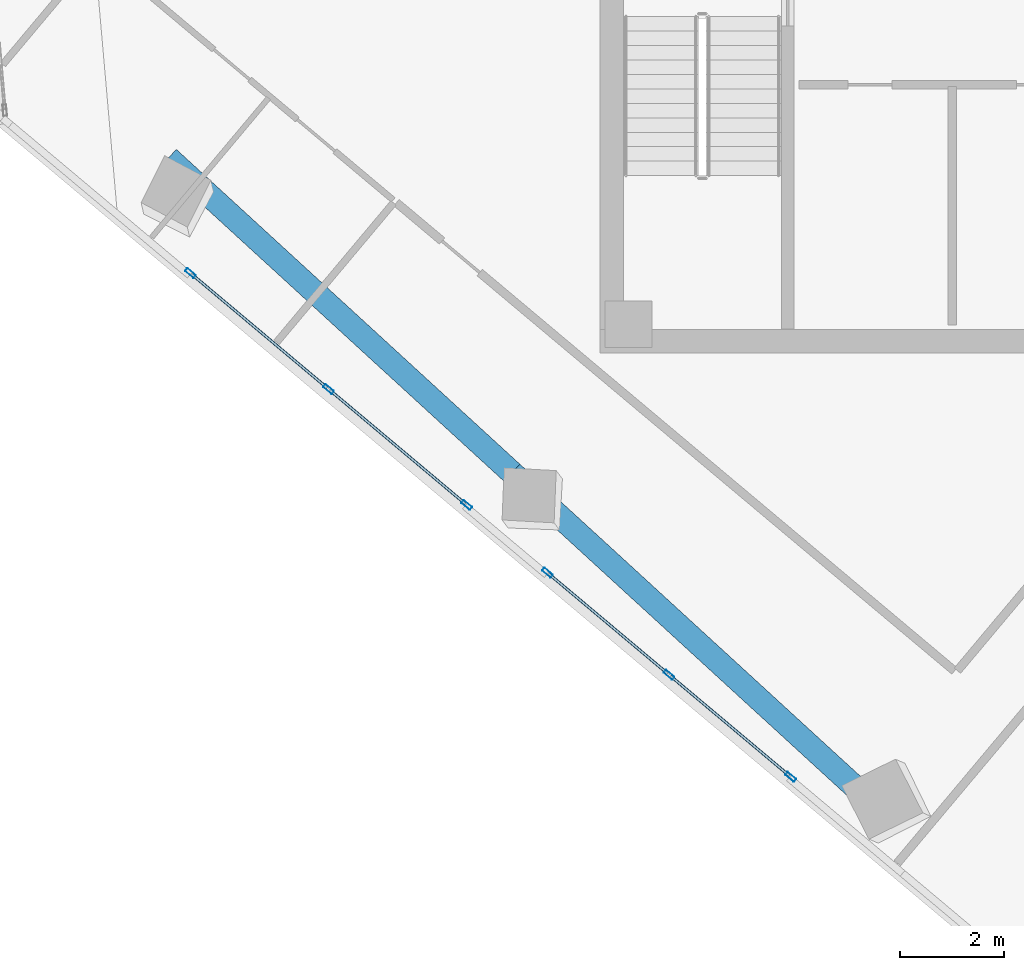
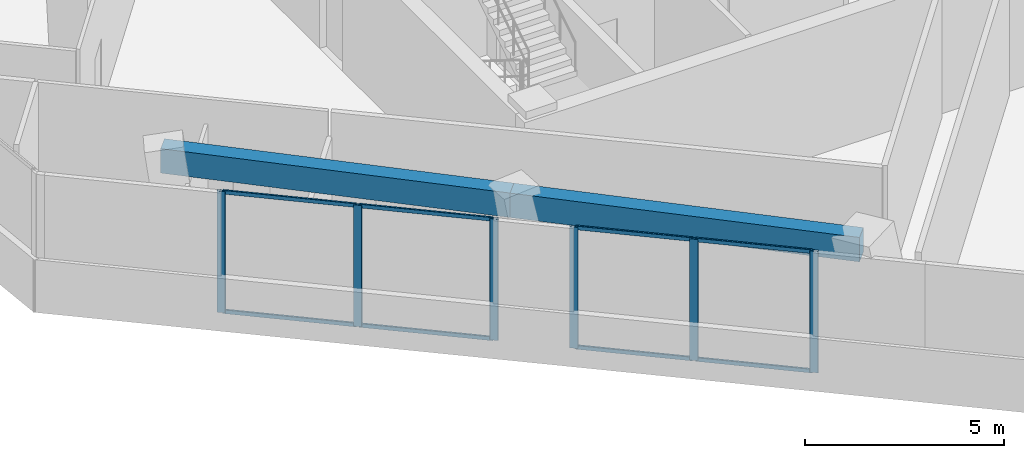
# One storey, part 2 of 18: 14 members, 2 beams, 2 elements without a shape of their own.
"""IFC4 building model written with IfcOpenShell, lengths in metres."""

from ifc_helpers import new_model, si_unit, direction, frame, origin, origin_2d, place, context, subcontext, project, spatial, rectangle, hollow_rectangle, extrude, source, transform, mapped, material, material_profile, profile_set, type_object, element, aggregate, save


model = new_model("IFC4")

# Units and contexts
model_context = context("Model", 3, precision=1e-05, world=origin(), true_north=direction((0.0, 1.0)))
body_context = subcontext(model_context, "Body", "Model", "MODEL_VIEW")
ifc_project = project(units=[si_unit("LENGTHUNIT", "METRE"), si_unit("AREAUNIT", "SQUARE_METRE"), si_unit("VOLUMEUNIT", "CUBIC_METRE"), si_unit("PLANEANGLEUNIT", "RADIAN"), si_unit("MASSUNIT", "GRAM", prefix="KILO")], contexts=[model_context])

# Site, building, storey
site_placement = place(None, origin())
site = spatial("IfcSite", under=ifc_project, at=site_placement, CompositionType="ELEMENT")
building_placement = place(site_placement, origin())
building = spatial("IfcBuilding", under=site, at=building_placement, Name="Torre Montelarca", CompositionType="ELEMENT")
storey_placement = place(building_placement, frame((0.0, 0.0, 224.800048828125)))
storey = spatial("IfcBuildingStorey", under=building, at=storey_placement, Name="L50", CompositionType="ELEMENT", Elevation=224.800048828125)

# Beams
ifc_material_1 = material(Name="Concrete C55/67", Category="concrete")
ifc_material_profile_1 = material_profile(ifc_material_1, rectangle(XDim=0.449951171875, YDim=0.75, at=origin_2d()), Name="RCB450X750", Category="concrete")
ifc_profile_set_1 = profile_set([ifc_material_profile_1], Name="Concrete C55/67")
beam_type = type_object("IfcBeamType", Name="BM-SP-RC750-EXT", PredefinedType="SPANDREL", material=ifc_profile_set_1)
shared_shape_1 = source(origin(), body_context, "Body", "SweptSolid", [
    extrude(rectangle(XDim=0.449951171875, YDim=0.75, at=origin_2d()), origin(), (0.0, 0.0, 1.0), 9.0),
])
for number, where, z_axis, x_axis, name in (
    (1, (0.663818359375, 27.763671875, 3.5849609375), (0.73727686361, -0.675590724023, 0.0), (0.675590724023, 0.73727686361, 0.0), "L50 Grid Girder X 9.0-18.0 at Y=14.8"),
    (2, (7.29931640625, 21.683349609375, 3.5849609375), (0.73727686361, -0.675590724023, 0.0), (0.675590724023, 0.73727686361, 0.0), "L50 Grid Girder X 18.0-27.0 at Y=14.8"),
):
    element("IfcBeam", number, at=place(storey_placement, frame(where, z_axis=z_axis, x_axis=x_axis)), inside=storey, type_object=beam_type, Name=name, PredefinedType="SPANDREL", context=body_context, shape_type="MappedRepresentation", body=[
        mapped(shared_shape_1, transform((0.0, 0.0, 0.0), scale=1.0)),
    ])

# Curtain wall, members
ifc_material_2 = material(Name="Insulated low-E laminated glass", Category="glass")
curtain_wall_type = type_object("IfcCurtainWallType", Name="CW-SYS-Z3", PredefinedType="USERDEFINED", material=ifc_material_2)
curtain_wall_1_placement = place(storey_placement, origin())
curtain_wall_1 = element("IfcCurtainWall", 3, at=curtain_wall_1_placement, inside=storey, type_object=curtain_wall_type, Name="L50 Curtain Wall Run CW-T3-L50-E01-B1", ObjectType="UNITISED GLAZING", PredefinedType="USERDEFINED")
ifc_material_3 = material(Name="Anodised aluminium AA 6063-T6", Category="aluminium")
ifc_material_profile_2 = material_profile(ifc_material_3, hollow_rectangle(XDim=0.054931640625, YDim=0.1201171875, WallThickness=0.00341796875, InnerFilletRadius=0.00341796875, OuterFilletRadius=0.007080078125, at=origin_2d()), Name="ALU55X120X3.5", Category="aluminium")
ifc_profile_set_2 = profile_set([ifc_material_profile_2], Name="Anodised aluminium AA 6063-T6")
member_type_1 = type_object("IfcMemberType", Name="CWT-ALU120", PredefinedType="USERDEFINED", material=ifc_profile_set_2)
shared_shape_2 = source(origin(), body_context, "Body", "SweptSolid", [
    extrude(hollow_rectangle(XDim=0.054931640625, YDim=0.1201171875, WallThickness=0.00341796875, InnerFilletRadius=0.00341796875, OuterFilletRadius=0.007080078125, at=origin_2d()), origin(), (0.0, 0.0, 1.0), 3.40771484375),
])
member_1_placement = place(storey_placement, frame((1.117431640625, 25.514404296875, 0.02734375), z_axis=(0.766032210407, -0.642802187783, 0.0), x_axis=(0.642802187783, 0.766032210407, 0.0)))
member_1 = element("IfcMember", 4, at=member_1_placement, type_object=member_type_1, Name="CW transom 1.1", ObjectType="TRANSOM", PredefinedType="USERDEFINED", context=body_context, shape_type="MappedRepresentation", body=[
    mapped(shared_shape_2, transform((0.0, 0.0, 0.0), scale=1.0)),
])
member_2_placement = place(storey_placement, frame((1.117431640625, 25.514404296875, 3.6923828125), z_axis=(0.766032210407, -0.642802187783, 0.0), x_axis=(0.642802187783, 0.766032210407, 0.0)))
member_2 = element("IfcMember", 5, at=member_2_placement, type_object=member_type_1, Name="CW transom 1.2", ObjectType="TRANSOM", PredefinedType="USERDEFINED", context=body_context, shape_type="MappedRepresentation", body=[
    mapped(shared_shape_2, transform((0.0, 0.0, 0.0), scale=1.0)),
])
member_3_placement = place(storey_placement, frame((3.78515625, 23.27587890625, 0.02734375), z_axis=(0.766032210407, -0.642802187783, 0.0), x_axis=(0.642802187783, 0.766032210407, 0.0)))
member_3 = element("IfcMember", 6, at=member_3_placement, type_object=member_type_1, Name="CW transom 2.1", ObjectType="TRANSOM", PredefinedType="USERDEFINED", context=body_context, shape_type="MappedRepresentation", body=[
    mapped(shared_shape_2, transform((0.0, 0.0, 0.0), scale=1.0)),
])
member_4_placement = place(storey_placement, frame((3.78515625, 23.27587890625, 3.6923828125), z_axis=(0.766032210407, -0.642802187783, 0.0), x_axis=(0.642802187783, 0.766032210407, 0.0)))
member_4 = element("IfcMember", 7, at=member_4_placement, type_object=member_type_1, Name="CW transom 2.2", ObjectType="TRANSOM", PredefinedType="USERDEFINED", context=body_context, shape_type="MappedRepresentation", body=[
    mapped(shared_shape_2, transform((0.0, 0.0, 0.0), scale=1.0)),
])
ifc_material_profile_3 = material_profile(ifc_material_3, hollow_rectangle(XDim=0.074951171875, YDim=0.219970703125, WallThickness=0.0048828125, InnerFilletRadius=0.0048828125, OuterFilletRadius=0.010009765625, at=origin_2d()), Name="ALU75X220X5", Category="aluminium")
ifc_profile_set_3 = profile_set([ifc_material_profile_3], Name="Anodised aluminium AA 6063-T6")
member_type_2 = type_object("IfcMemberType", Name="CWM-ALU220", PredefinedType="MULLION", material=ifc_profile_set_3)
shared_shape_3 = source(origin(), body_context, "Body", "SweptSolid", [
    extrude(hollow_rectangle(XDim=0.074951171875, YDim=0.219970703125, WallThickness=0.0048828125, InnerFilletRadius=0.0048828125, OuterFilletRadius=0.010009765625, at=origin_2d()), origin(), (0.0, 0.0, 1.0), 3.719970703125),
])
member_5_placement = place(storey_placement, frame((1.088623046875, 25.538330078125, 0.0), z_axis=(0.0, 0.0, 1.0), x_axis=(0.642789243392, 0.766043072274, 0.0)))
member_5 = element("IfcMember", 8, at=member_5_placement, type_object=member_type_2, Name="CW mullion 1", PredefinedType="MULLION", context=body_context, shape_type="MappedRepresentation", body=[
    mapped(shared_shape_3, transform((0.0, 0.0, 0.0), scale=1.0)),
])
member_6_placement = place(storey_placement, frame((3.75634765625, 23.2998046875, 0.0), z_axis=(0.0, 0.0, 1.0), x_axis=(0.642789243392, 0.766043072274, 0.0)))
member_6 = element("IfcMember", 9, at=member_6_placement, type_object=member_type_2, Name="CW mullion 2", PredefinedType="MULLION", context=body_context, shape_type="MappedRepresentation", body=[
    mapped(shared_shape_3, transform((0.0, 0.0, 0.0), scale=1.0)),
])
member_7_placement = place(storey_placement, frame((6.424072265625, 21.0615234375, 0.0), z_axis=(0.0, 0.0, 1.0), x_axis=(0.642789243392, 0.766043072274, 0.0)))
member_7 = element("IfcMember", 10, at=member_7_placement, type_object=member_type_2, Name="CW mullion 3", PredefinedType="MULLION", context=body_context, shape_type="MappedRepresentation", body=[
    mapped(shared_shape_3, transform((0.0, 0.0, 0.0), scale=1.0)),
])
aggregate(curtain_wall_1, [member_5, member_6, member_7, member_1, member_2, member_3, member_4])

curtain_wall_2_placement = place(storey_placement, origin())
curtain_wall_2 = element("IfcCurtainWall", 11, at=curtain_wall_2_placement, inside=storey, type_object=curtain_wall_type, Name="L50 Curtain Wall Run CW-T3-L50-E01-B2", ObjectType="UNITISED GLAZING", PredefinedType="USERDEFINED")
member_8_placement = place(storey_placement, frame((7.983154296875, 19.753173828125, 0.0), z_axis=(0.0, 0.0, 1.0), x_axis=(0.642792787056, 0.76604009876, 0.0)))
member_8 = element("IfcMember", 12, at=member_8_placement, type_object=member_type_2, Name="CW mullion 1", PredefinedType="MULLION", context=body_context, shape_type="MappedRepresentation", body=[
    mapped(shared_shape_3, transform((0.0, 0.0, 0.0), scale=1.0)),
])
member_9_placement = place(storey_placement, frame((10.332763671875, 17.78173828125, 0.0), z_axis=(0.0, 0.0, 1.0), x_axis=(0.642792787056, 0.76604009876, 0.0)))
member_9 = element("IfcMember", 13, at=member_9_placement, type_object=member_type_2, Name="CW mullion 2", PredefinedType="MULLION", context=body_context, shape_type="MappedRepresentation", body=[
    mapped(shared_shape_3, transform((0.0, 0.0, 0.0), scale=1.0)),
])
member_10_placement = place(storey_placement, frame((12.682373046875, 15.81005859375, 0.0), z_axis=(0.0, 0.0, 1.0), x_axis=(0.642792787056, 0.76604009876, 0.0)))
member_10 = element("IfcMember", 14, at=member_10_placement, type_object=member_type_2, Name="CW mullion 3", PredefinedType="MULLION", context=body_context, shape_type="MappedRepresentation", body=[
    mapped(shared_shape_3, transform((0.0, 0.0, 0.0), scale=1.0)),
])
shared_shape_4 = source(origin(), body_context, "Body", "SweptSolid", [
    extrude(hollow_rectangle(XDim=0.054931640625, YDim=0.1201171875, WallThickness=0.00341796875, InnerFilletRadius=0.00341796875, OuterFilletRadius=0.007080078125, at=origin_2d()), origin(), (0.0, 0.0, 1.0), 2.9921875),
])
member_11_placement = place(storey_placement, frame((8.011962890625, 19.729248046875, 0.02734375), z_axis=(0.766023041286, -0.642813114535, 0.0), x_axis=(0.642813114535, 0.766023041286, 0.0)))
member_11 = element("IfcMember", 15, at=member_11_placement, type_object=member_type_1, Name="CW transom 1.1", ObjectType="TRANSOM", PredefinedType="USERDEFINED", context=body_context, shape_type="MappedRepresentation", body=[
    mapped(shared_shape_4, transform((0.0, 0.0, 0.0), scale=1.0)),
])
member_12_placement = place(storey_placement, frame((8.011962890625, 19.729248046875, 3.6923828125), z_axis=(0.766023041286, -0.642813114535, 0.0), x_axis=(0.642813114535, 0.766023041286, 0.0)))
member_12 = element("IfcMember", 16, at=member_12_placement, type_object=member_type_1, Name="CW transom 1.2", ObjectType="TRANSOM", PredefinedType="USERDEFINED", context=body_context, shape_type="MappedRepresentation", body=[
    mapped(shared_shape_4, transform((0.0, 0.0, 0.0), scale=1.0)),
])
member_13_placement = place(storey_placement, frame((10.361572265625, 17.757568359375, 0.02734375), z_axis=(0.766023041286, -0.642813114535, 0.0), x_axis=(0.642813114535, 0.766023041286, 0.0)))
member_13 = element("IfcMember", 17, at=member_13_placement, type_object=member_type_1, Name="CW transom 2.1", ObjectType="TRANSOM", PredefinedType="USERDEFINED", context=body_context, shape_type="MappedRepresentation", body=[
    mapped(shared_shape_4, transform((0.0, 0.0, 0.0), scale=1.0)),
])
member_14_placement = place(storey_placement, frame((10.361572265625, 17.757568359375, 3.6923828125), z_axis=(0.766023041286, -0.642813114535, 0.0), x_axis=(0.642813114535, 0.766023041286, 0.0)))
member_14 = element("IfcMember", 18, at=member_14_placement, type_object=member_type_1, Name="CW transom 2.2", ObjectType="TRANSOM", PredefinedType="USERDEFINED", context=body_context, shape_type="MappedRepresentation", body=[
    mapped(shared_shape_4, transform((0.0, 0.0, 0.0), scale=1.0)),
])
aggregate(curtain_wall_2, [member_8, member_9, member_10, member_11, member_12, member_13, member_14])

save(model, "model.ifc")
